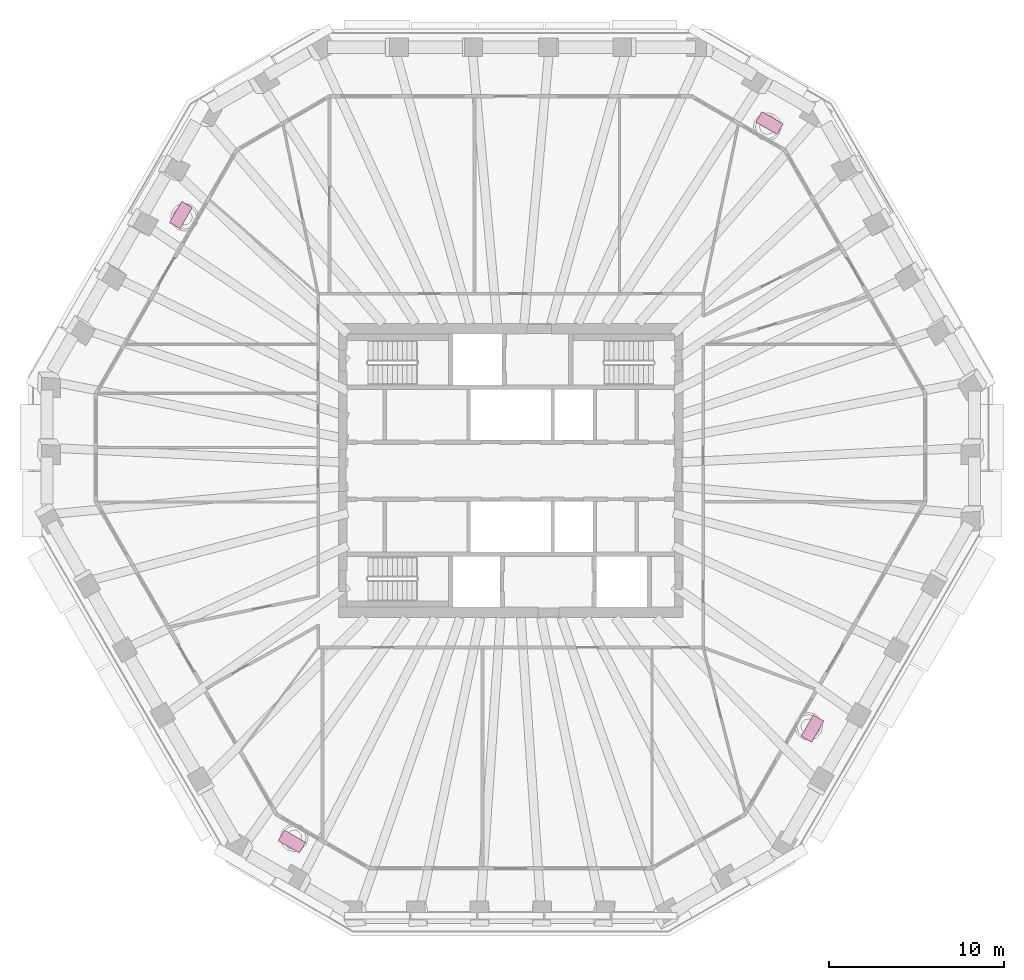
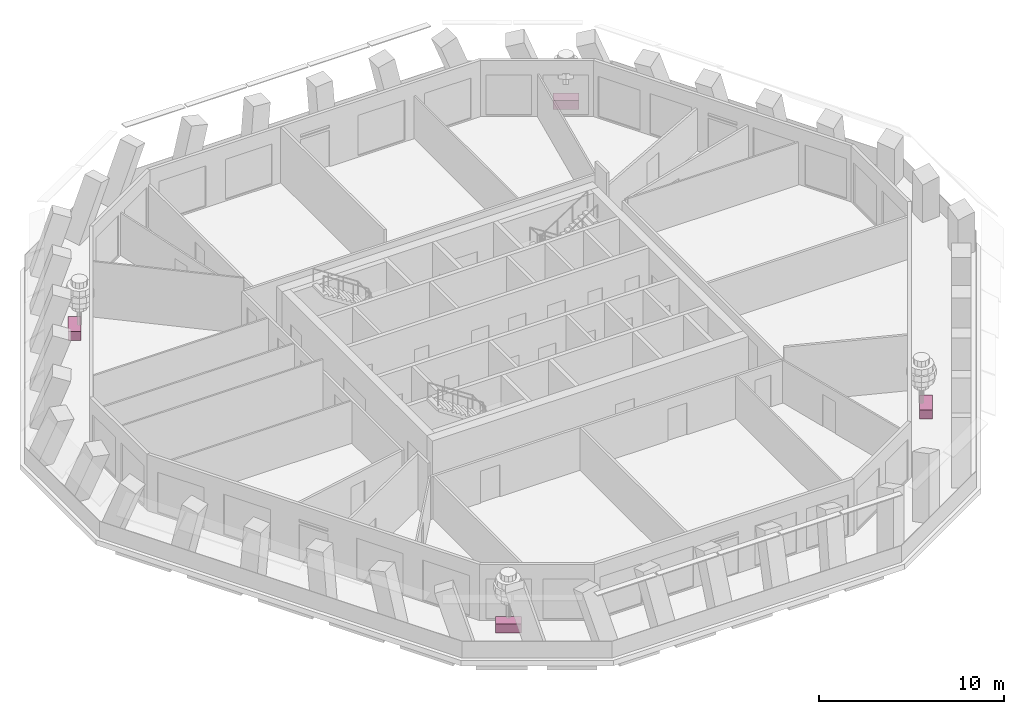
# One storey, part 11 of 12: 4 furniture elements.
"""IFC4 building model written with IfcOpenShell, lengths in metres."""

from ifc_helpers import new_model, si_unit, direction, frame, origin, origin_2d, place, context, subcontext, project, spatial, rectangle, extrude, material, type_object, element, save


model = new_model("IFC4")

# Units and contexts
model_context = context("Model", 3, precision=1e-05, world=origin(), true_north=direction((0.0, 1.0)))
body_context = subcontext(model_context, "Body", "Model", "MODEL_VIEW")
ifc_project = project(units=[si_unit("LENGTHUNIT", "METRE"), si_unit("AREAUNIT", "SQUARE_METRE"), si_unit("VOLUMEUNIT", "CUBIC_METRE"), si_unit("PLANEANGLEUNIT", "RADIAN"), si_unit("MASSUNIT", "GRAM", prefix="KILO")], contexts=[model_context])

# Site, building, storey
site_placement = place(None, origin())
site = spatial("IfcSite", under=ifc_project, at=site_placement, CompositionType="ELEMENT")
building_placement = place(site_placement, origin())
building = spatial("IfcBuilding", under=site, at=building_placement, Name="Frailejon Research Tower", CompositionType="ELEMENT")
storey_placement = place(building_placement, frame((0.0, 0.0, 253.39990234375)))
storey = spatial("IfcBuildingStorey", under=building, at=storey_placement, Name="L55", CompositionType="ELEMENT", Elevation=253.39990234375)

# Furniture
ifc_material = material(Name="Precast concrete C30/37 planter, terracotta", Category="masonry")
furniture_type = type_object("IfcFurnitureType", Name="Loggia planter 1400x700", AssemblyPlace="NOTDEFINED", PredefinedType="USERDEFINED", material=ifc_material)
for number, where, z_axis, x_axis, name in (
    (1, (14.784912109375, 19.865478515625, 0.0), (0.0, 0.0, 1.0), (-0.866025403784, 0.5, 0.0), "Planter L55"),
    (2, (-18.841796875, 14.604736328125, 0.0), (0.0, 0.0, 1.0), (-0.5, -0.866025403784, 0.0), "Planter L55"),
    (3, (-12.498779296875, -21.185302734375, 0.0), (0.0, 0.0, 1.0), (0.866025403784, -0.5, 0.0), "Planter L55"),
    (4, (17.24169921875, -14.73681640625, 0.0), (0.0, 0.0, 1.0), (0.5, 0.866025403784, 0.0), "Planter L55"),
):
    element("IfcFurniture", number, at=place(storey_placement, frame(where, z_axis=z_axis, x_axis=x_axis)), inside=storey, type_object=furniture_type, Name=name, ObjectType="PLANTER", PredefinedType="USERDEFINED", context=body_context, shape_type="SweptSolid", body=[
        extrude(rectangle(XDim=1.39990234375, YDim=0.699951171875, at=origin_2d()), origin(), (0.0, 0.0, 1.0), 0.60009765625),
    ])

save(model, "model.ifc")
